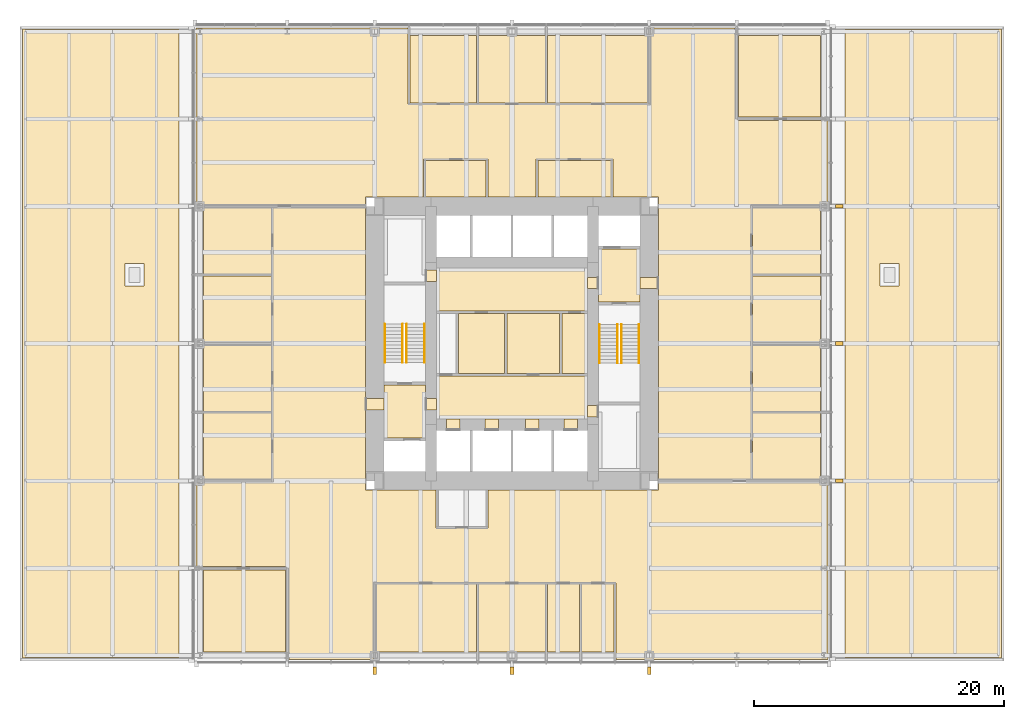
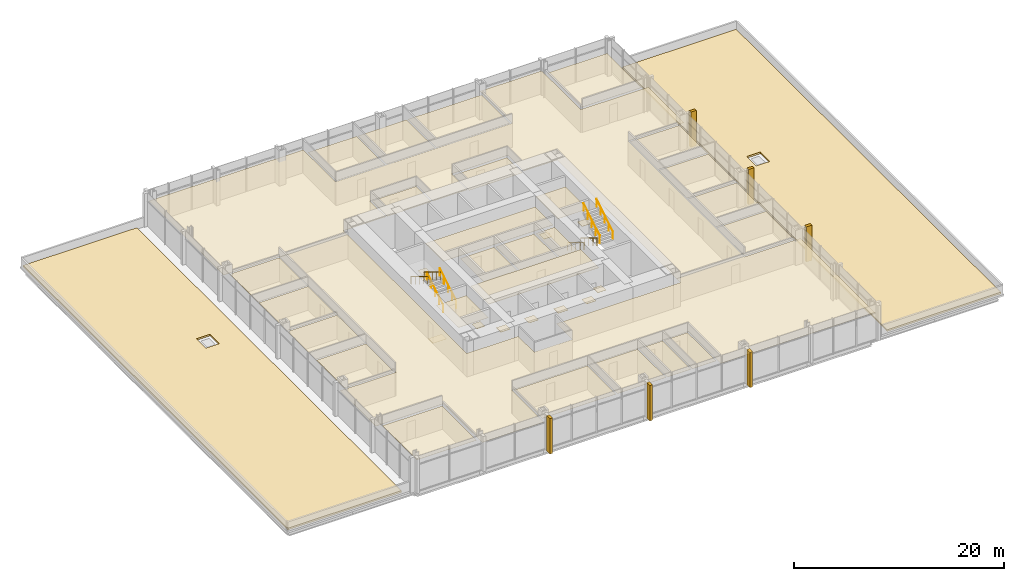
# One storey, part 15 of 15: 46 coverings, 8 railings.
"""IFC4 building model written with IfcOpenShell, lengths in metres."""

from ifc_helpers import new_model, si_unit, direction, frame, origin, origin_2d, place, context, subcontext, project, spatial, polyline, rectangle, circle, outline, extrude, material, layer, layer_set, type_object, element, save


model = new_model("IFC4")

# Units and contexts
model_context = context("Model", 3, precision=1e-05, world=origin(), true_north=direction((0.0, 1.0)))
body_context = subcontext(model_context, "Body", "Model", "MODEL_VIEW")
ifc_project = project(units=[si_unit("LENGTHUNIT", "METRE"), si_unit("AREAUNIT", "SQUARE_METRE"), si_unit("VOLUMEUNIT", "CUBIC_METRE"), si_unit("PLANEANGLEUNIT", "RADIAN"), si_unit("MASSUNIT", "GRAM", prefix="KILO")], contexts=[model_context])

# Site, building, storey
site_placement = place(None, origin())
site = spatial("IfcSite", under=ifc_project, at=site_placement, CompositionType="ELEMENT")
building_placement = place(site_placement, origin())
building = spatial("IfcBuilding", under=site, at=building_placement, Name="Trevanion Tower", CompositionType="ELEMENT")
storey_placement = place(building_placement, frame((0.0, 0.0, 16.0)))
storey = spatial("IfcBuildingStorey", under=building, at=storey_placement, Name="L03", CompositionType="ELEMENT", Elevation=16.0)

# Coverings
ifc_material_1 = material(Name="Fibrous plaster coffers on suspended steel grid", Category="steel")
ifc_layer_1 = layer(ifc_material_1, 0.050048828125)
ifc_layer_set_1 = layer_set([ifc_layer_1], Name="CL1 coffered fibrous plaster ceiling 50")
covering_type_1 = type_object("IfcCoveringType", Name="CL1 coffered fibrous plaster ceiling 50", PredefinedType="CEILING", material=ifc_layer_set_1)
covering_1_placement = place(storey_placement, frame((0.0, 0.0, 3.0)))
element("IfcCovering", 1, at=covering_1_placement, inside=storey, type_object=covering_type_1, Name="CL1 L03-LBS", PredefinedType="CEILING", context=body_context, shape_type="SweptSolid", body=[
    extrude(outline(polyline([(6.050048828125, -6.050048828125), (6.050048828125, -2.60009765625), (-6.050048828125, -2.60009765625), (-6.050048828125, -6.050048828125), (6.050048828125, -6.050048828125)])), origin(), (0.0, 0.0, 1.0), 0.050048828125),
])
ifc_material_2 = material(Name="Mineral fibre acoustic tiles in exposed grid", Category="mineral fibre")
ifc_layer_2 = layer(ifc_material_2, 0.02001953125)
ifc_layer_set_2 = layer_set([ifc_layer_2], Name="CL2 acoustic tile ceiling 20")
covering_type_2 = type_object("IfcCoveringType", Name="CL2 acoustic tile ceiling 20", PredefinedType="CEILING", material=ifc_layer_set_2)
covering_2_placement = place(storey_placement, frame((0.0, 0.0, 2.75)))
element("IfcCovering", 2, at=covering_2_placement, inside=storey, type_object=covering_type_2, Name="CL2 L03-LBN", PredefinedType="CEILING", context=body_context, shape_type="SweptSolid", body=[
    extrude(outline(polyline([(6.050048828125, 2.60009765625), (6.050048828125, 6.050048828125), (-6.050048828125, 6.050048828125), (-6.050048828125, 2.60009765625), (6.050048828125, 2.60009765625)])), origin(), (0.0, 0.0, 1.0), 0.02001953125),
])
covering_3_placement = place(storey_placement, frame((0.0, 0.0, 2.75)))
element("IfcCovering", 3, at=covering_3_placement, inside=storey, type_object=covering_type_2, Name="CL2 L03-MR", PredefinedType="CEILING", context=body_context, shape_type="SweptSolid", body=[
    extrude(outline(polyline([(18.14990234375, 18.14990234375), (18.14990234375, 24.699951171875), (24.699951171875, 24.699951171875), (24.699951171875, 18.14990234375), (18.14990234375, 18.14990234375)])), origin(), (0.0, 0.0, 1.0), 0.02001953125),
])
covering_4_placement = place(storey_placement, frame((0.0, 0.0, 2.75)))
element("IfcCovering", 4, at=covering_4_placement, inside=storey, type_object=covering_type_2, Name="CL2 L03-MR2", PredefinedType="CEILING", context=body_context, shape_type="SweptSolid", body=[
    extrude(outline(polyline([(-18.14990234375, -18.14990234375), (-18.14990234375, -24.699951171875), (-24.699951171875, -24.699951171875), (-24.699951171875, -18.14990234375), (-18.14990234375, -18.14990234375)])), origin(), (0.0, 0.0, 1.0), 0.02001953125),
])
covering_5_placement = place(storey_placement, frame((0.0, 0.0, 2.75)))
element("IfcCovering", 5, at=covering_5_placement, inside=storey, type_object=covering_type_2, Name="CL2 L03-MR3", PredefinedType="CEILING", context=body_context, shape_type="SweptSolid", body=[
    extrude(outline(polyline([(19.27490234375, -10.925048828125), (19.27490234375, -5.574951171875), (24.699951171875, -5.574951171875), (24.699951171875, -10.925048828125), (19.27490234375, -10.925048828125)])), origin(), (0.0, 0.0, 1.0), 0.02001953125),
])
covering_6_placement = place(storey_placement, frame((0.0, 0.0, 2.75)))
element("IfcCovering", 6, at=covering_6_placement, inside=storey, type_object=covering_type_2, Name="CL2 L03-MR4", PredefinedType="CEILING", context=body_context, shape_type="SweptSolid", body=[
    extrude(outline(polyline([(19.27490234375, -5.425048828125), (19.27490234375, -0.074951171875), (24.699951171875, -0.074951171875), (24.699951171875, -5.425048828125), (19.27490234375, -5.425048828125)])), origin(), (0.0, 0.0, 1.0), 0.02001953125),
])
covering_7_placement = place(storey_placement, frame((0.0, 0.0, 2.75)))
element("IfcCovering", 7, at=covering_7_placement, inside=storey, type_object=covering_type_2, Name="CL2 L03-TR", PredefinedType="CEILING", context=body_context, shape_type="SweptSolid", body=[
    extrude(outline(polyline([(19.27490234375, 0.074951171875), (19.27490234375, 5.425048828125), (24.699951171875, 5.425048828125), (24.699951171875, 0.074951171875), (19.27490234375, 0.074951171875)])), origin(), (0.0, 0.0, 1.0), 0.02001953125),
])
covering_8_placement = place(storey_placement, frame((0.0, 0.0, 2.75)))
element("IfcCovering", 8, at=covering_8_placement, inside=storey, type_object=covering_type_2, Name="CL2 L03-MR5", PredefinedType="CEILING", context=body_context, shape_type="SweptSolid", body=[
    extrude(outline(polyline([(19.27490234375, 5.574951171875), (19.27490234375, 10.925048828125), (24.699951171875, 10.925048828125), (24.699951171875, 5.574951171875), (19.27490234375, 5.574951171875)])), origin(), (0.0, 0.0, 1.0), 0.02001953125),
])
covering_9_placement = place(storey_placement, frame((0.0, 0.0, 2.75)))
element("IfcCovering", 9, at=covering_9_placement, inside=storey, type_object=covering_type_2, Name="CL2 L03-MR6", PredefinedType="CEILING", context=body_context, shape_type="SweptSolid", body=[
    extrude(outline(polyline([(-19.27490234375, 10.925048828125), (-19.27490234375, 5.574951171875), (-24.699951171875, 5.574951171875), (-24.699951171875, 10.925048828125), (-19.27490234375, 10.925048828125)])), origin(), (0.0, 0.0, 1.0), 0.02001953125),
])
covering_10_placement = place(storey_placement, frame((0.0, 0.0, 2.75)))
element("IfcCovering", 10, at=covering_10_placement, inside=storey, type_object=covering_type_2, Name="CL2 L03-MR7", PredefinedType="CEILING", context=body_context, shape_type="SweptSolid", body=[
    extrude(outline(polyline([(-19.27490234375, 5.425048828125), (-19.27490234375, 0.074951171875), (-24.699951171875, 0.074951171875), (-24.699951171875, 5.425048828125), (-19.27490234375, 5.425048828125)])), origin(), (0.0, 0.0, 1.0), 0.02001953125),
])
covering_11_placement = place(storey_placement, frame((0.0, 0.0, 2.75)))
element("IfcCovering", 11, at=covering_11_placement, inside=storey, type_object=covering_type_2, Name="CL2 L03-TR2", PredefinedType="CEILING", context=body_context, shape_type="SweptSolid", body=[
    extrude(outline(polyline([(-19.27490234375, -0.074951171875), (-19.27490234375, -5.425048828125), (-24.699951171875, -5.425048828125), (-24.699951171875, -0.074951171875), (-19.27490234375, -0.074951171875)])), origin(), (0.0, 0.0, 1.0), 0.02001953125),
])
covering_12_placement = place(storey_placement, frame((0.0, 0.0, 2.75)))
element("IfcCovering", 12, at=covering_12_placement, inside=storey, type_object=covering_type_2, Name="CL2 L03-MR8", PredefinedType="CEILING", context=body_context, shape_type="SweptSolid", body=[
    extrude(outline(polyline([(-19.27490234375, -5.574951171875), (-19.27490234375, -10.925048828125), (-24.699951171875, -10.925048828125), (-24.699951171875, -5.574951171875), (-19.27490234375, -5.574951171875)])), origin(), (0.0, 0.0, 1.0), 0.02001953125),
])
covering_13_placement = place(storey_placement, frame((0.0, 0.0, 2.75)))
element("IfcCovering", 13, at=covering_13_placement, inside=storey, type_object=covering_type_2, Name="CL2 L03-TR3", PredefinedType="CEILING", context=body_context, shape_type="SweptSolid", body=[
    extrude(outline(polyline([(10.925048828125, 19.27490234375), (2.824951171875, 19.27490234375), (2.824951171875, 24.699951171875), (10.925048828125, 24.699951171875), (10.925048828125, 19.27490234375)])), origin(), (0.0, 0.0, 1.0), 0.02001953125),
])
covering_14_placement = place(storey_placement, frame((0.0, 0.0, 2.75)))
element("IfcCovering", 14, at=covering_14_placement, inside=storey, type_object=covering_type_2, Name="CL2 L03-MR9", PredefinedType="CEILING", context=body_context, shape_type="SweptSolid", body=[
    extrude(outline(polyline([(2.675048828125, 19.27490234375), (-2.675048828125, 19.27490234375), (-2.675048828125, 24.699951171875), (2.675048828125, 24.699951171875), (2.675048828125, 19.27490234375)])), origin(), (0.0, 0.0, 1.0), 0.02001953125),
])
covering_15_placement = place(storey_placement, frame((0.0, 0.0, 2.75)))
element("IfcCovering", 15, at=covering_15_placement, inside=storey, type_object=covering_type_2, Name="CL2 L03-MR10", PredefinedType="CEILING", context=body_context, shape_type="SweptSolid", body=[
    extrude(outline(polyline([(-2.824951171875, 19.27490234375), (-8.175048828125, 19.27490234375), (-8.175048828125, 24.699951171875), (-2.824951171875, 24.699951171875), (-2.824951171875, 19.27490234375)])), origin(), (0.0, 0.0, 1.0), 0.02001953125),
])
covering_16_placement = place(storey_placement, frame((0.0, 0.0, 2.75)))
element("IfcCovering", 16, at=covering_16_placement, inside=storey, type_object=covering_type_2, Name="CL2 L03-TR4", PredefinedType="CEILING", context=body_context, shape_type="SweptSolid", body=[
    extrude(outline(polyline([(-10.925048828125, -19.27490234375), (-2.824951171875, -19.27490234375), (-2.824951171875, -24.699951171875), (-10.925048828125, -24.699951171875), (-10.925048828125, -19.27490234375)])), origin(), (0.0, 0.0, 1.0), 0.02001953125),
])
covering_17_placement = place(storey_placement, frame((0.0, 0.0, 2.75)))
element("IfcCovering", 17, at=covering_17_placement, inside=storey, type_object=covering_type_2, Name="CL2 L03-MR11", PredefinedType="CEILING", context=body_context, shape_type="SweptSolid", body=[
    extrude(outline(polyline([(-2.675048828125, -19.27490234375), (2.675048828125, -19.27490234375), (2.675048828125, -24.699951171875), (-2.675048828125, -24.699951171875), (-2.675048828125, -19.27490234375)])), origin(), (0.0, 0.0, 1.0), 0.02001953125),
])
covering_18_placement = place(storey_placement, frame((0.0, 0.0, 2.75)))
element("IfcCovering", 18, at=covering_18_placement, inside=storey, type_object=covering_type_2, Name="CL2 L03-FR", PredefinedType="CEILING", context=body_context, shape_type="SweptSolid", body=[
    extrude(outline(polyline([(2.824951171875, -19.27490234375), (5.425048828125, -19.27490234375), (5.425048828125, -24.699951171875), (2.824951171875, -24.699951171875), (2.824951171875, -19.27490234375)])), origin(), (0.0, 0.0, 1.0), 0.02001953125),
])
covering_19_placement = place(storey_placement, frame((0.0, 0.0, 2.75)))
element("IfcCovering", 19, at=covering_19_placement, inside=storey, type_object=covering_type_2, Name="CL2 L03-FR2", PredefinedType="CEILING", context=body_context, shape_type="SweptSolid", body=[
    extrude(outline(polyline([(5.574951171875, -19.27490234375), (8.175048828125, -19.27490234375), (8.175048828125, -24.699951171875), (5.574951171875, -24.699951171875), (5.574951171875, -19.27490234375)])), origin(), (0.0, 0.0, 1.0), 0.02001953125),
])
covering_20_placement = place(storey_placement, frame((0.0, 0.0, 2.75)))
element("IfcCovering", 20, at=covering_20_placement, inside=storey, type_object=covering_type_2, Name="CL2 L03-PC", PredefinedType="CEILING", context=body_context, shape_type="SweptSolid", body=[
    extrude(outline(polyline([(-6.925048828125, 14.675048828125), (-2.074951171875, 14.675048828125), (-2.074951171875, 11.75), (-6.925048828125, 11.75), (-6.925048828125, 14.675048828125)])), origin(), (0.0, 0.0, 1.0), 0.02001953125),
])
covering_21_placement = place(storey_placement, frame((0.0, 0.0, 2.75)))
element("IfcCovering", 21, at=covering_21_placement, inside=storey, type_object=covering_type_2, Name="CL2 L03-OP", PredefinedType="CEILING", context=body_context, shape_type="SweptSolid", body=[
    extrude(outline(polyline([(11.75, 11.75), (8.094970703125, 11.75), (8.094970703125, 14.77001953125), (1.905029296875, 14.77001953125), (1.905029296875, 11.75), (-1.905029296875, 11.75), (-1.905029296875, 14.77001953125), (-7.094970703125, 14.77001953125), (-7.094970703125, 11.75), (-11.75, 11.75), (-11.75, 11.0), (-19.179931640625, 11.0), (-19.179931640625, 11.094970703125), (-25.300048828125, 11.094970703125), (-25.300048828125, 25.300048828125), (-8.344970703125, 25.300048828125), (-8.344970703125, 19.179931640625), (11.094970703125, 19.179931640625), (11.094970703125, 25.300048828125), (17.8798828125, 25.300048828125), (17.8798828125, 17.8798828125), (25.300048828125, 17.8798828125), (25.300048828125, 11.094970703125), (19.179931640625, 11.094970703125), (19.179931640625, -11.0), (11.75, -11.0), (11.75, 11.75)])), origin(), (0.0, 0.0, 1.0), 0.02001953125),
])
covering_22_placement = place(storey_placement, frame((0.0, 0.0, 2.75)))
element("IfcCovering", 22, at=covering_22_placement, inside=storey, type_object=covering_type_2, Name="CL2 L03-OP2", PredefinedType="CEILING", context=body_context, shape_type="SweptSolid", body=[
    extrude(outline(polyline([(11.75, -11.0), (19.179931640625, -11.0), (19.179931640625, -11.094970703125), (25.300048828125, -11.094970703125), (25.300048828125, -25.300048828125), (8.344970703125, -25.300048828125), (8.344970703125, -19.179931640625), (-11.094970703125, -19.179931640625), (-11.094970703125, -25.300048828125), (-17.8798828125, -25.300048828125), (-17.8798828125, -17.8798828125), (-25.300048828125, -17.8798828125), (-25.300048828125, -11.094970703125), (-19.179931640625, -11.094970703125), (-19.179931640625, 11.0), (-11.75, 11.0), (-11.75, -11.75), (-6.094970703125, -11.75), (-6.094970703125, -14.77001953125), (-1.905029296875, -14.77001953125), (-1.905029296875, -11.75), (11.75, -11.75), (11.75, -11.0)])), origin(), (0.0, 0.0, 1.0), 0.02001953125),
])
ifc_material_3 = material(Name="Gypsum plasterboard on suspended metal furring", Category="gypsum")
ifc_layer_3 = layer(ifc_material_3, 0.012939453125)
ifc_layer_set_3 = layer_set([ifc_layer_3], Name="CL3 plasterboard ceiling 13")
covering_type_3 = type_object("IfcCoveringType", Name="CL3 plasterboard ceiling 13", PredefinedType="CEILING", material=ifc_layer_set_3)
covering_23_placement = place(storey_placement, frame((0.0, 0.0, 2.699951171875)))
element("IfcCovering", 23, at=covering_23_placement, inside=storey, type_object=covering_type_3, Name="CL3 L03-FV1", PredefinedType="CEILING", context=body_context, shape_type="SweptSolid", body=[
    extrude(outline(polyline([(10.25, 3.324951171875), (10.25, 7.574951171875), (6.949951171875, 7.574951171875), (6.949951171875, 3.324951171875), (10.25, 3.324951171875)])), origin(), (0.0, 0.0, 1.0), 0.012939453125),
])
covering_24_placement = place(storey_placement, frame((0.0, 0.0, 2.699951171875)))
element("IfcCovering", 24, at=covering_24_placement, inside=storey, type_object=covering_type_3, Name="CL3 L03-FV2", PredefinedType="CEILING", context=body_context, shape_type="SweptSolid", body=[
    extrude(outline(polyline([(-10.25, -3.324951171875), (-10.25, -7.574951171875), (-6.949951171875, -7.574951171875), (-6.949951171875, -3.324951171875), (-10.25, -3.324951171875)])), origin(), (0.0, 0.0, 1.0), 0.012939453125),
])
ifc_material_4 = material(Name="Moisture-resistant gypsum board on suspended metal furring", Category="gypsum")
ifc_layer_4 = layer(ifc_material_4, 0.01611328125)
ifc_layer_set_4 = layer_set([ifc_layer_4], Name="CL4 moisture-resistant board ceiling 16")
covering_type_4 = type_object("IfcCoveringType", Name="CL4 moisture-resistant board ceiling 16", PredefinedType="CEILING", material=ifc_layer_set_4)
covering_25_placement = place(storey_placement, frame((0.0, 0.0, 2.60009765625)))
element("IfcCovering", 25, at=covering_25_placement, inside=storey, type_object=covering_type_4, Name="CL4 L03-WCM", PredefinedType="CEILING", context=body_context, shape_type="SweptSolid", body=[
    extrude(outline(polyline([(-0.60009765625, -2.39990234375), (-0.60009765625, 2.39990234375), (-4.300048828125, 2.39990234375), (-4.300048828125, -2.39990234375), (-0.60009765625, -2.39990234375)])), origin(), (0.0, 0.0, 1.0), 0.015869140625),
])
covering_26_placement = place(storey_placement, frame((0.0, 0.0, 2.60009765625)))
element("IfcCovering", 26, at=covering_26_placement, inside=storey, type_object=covering_type_4, Name="CL4 L03-WCF", PredefinedType="CEILING", context=body_context, shape_type="SweptSolid", body=[
    extrude(outline(polyline([(3.800048828125, -2.39990234375), (3.800048828125, 2.39990234375), (-0.39990234375, 2.39990234375), (-0.39990234375, -2.39990234375), (3.800048828125, -2.39990234375)])), origin(), (0.0, 0.0, 1.0), 0.015869140625),
])
covering_27_placement = place(storey_placement, frame((0.0, 0.0, 2.60009765625)))
element("IfcCovering", 27, at=covering_27_placement, inside=storey, type_object=covering_type_4, Name="CL4 L03-WCA", PredefinedType="CEILING", context=body_context, shape_type="SweptSolid", body=[
    extrude(outline(polyline([(6.050048828125, -2.39990234375), (6.050048828125, 2.39990234375), (4.0, 2.39990234375), (4.0, -2.39990234375), (6.050048828125, -2.39990234375)])), origin(), (0.0, 0.0, 1.0), 0.015869140625),
])
covering_28_placement = place(storey_placement, frame((0.0, 0.0, 2.60009765625)))
element("IfcCovering", 28, at=covering_28_placement, inside=storey, type_object=covering_type_4, Name="CL4 L03-PA", PredefinedType="CEILING", context=body_context, shape_type="SweptSolid", body=[
    extrude(outline(polyline([(2.074951171875, 14.675048828125), (7.925048828125, 14.675048828125), (7.925048828125, 11.75), (2.074951171875, 11.75), (2.074951171875, 14.675048828125)])), origin(), (0.0, 0.0, 1.0), 0.015869140625),
])
ifc_material_5 = material(Name="Cast bronze fin on aluminium carrier", Category="aluminium")
covering_type_5 = type_object("IfcCoveringType", Name="F1 bronze fin", PredefinedType="CLADDING", material=ifc_material_5)
for number, where, z_axis, x_axis, name in (
    (29, (26.22509765625, -11.0, -0.18994140625), (0.0, 0.0, 1.0), (0.0, 1.0, 0.0), "F1 L03 east -11.0"),
    (30, (26.22509765625, 0.0, -0.18994140625), (0.0, 0.0, 1.0), (0.0, 1.0, 0.0), "F1 L03 east +0.0"),
    (31, (26.22509765625, 11.0, -0.18994140625), (0.0, 0.0, 1.0), (0.0, 1.0, 0.0), "F1 L03 east +11.0"),
    (32, (-11.0, -26.22509765625, -0.18994140625), (0.0, 0.0, 1.0), (1.0, 0.0, 0.0), "F1 L03 south -11.0"),
    (33, (0.0, -26.22509765625, -0.18994140625), (0.0, 0.0, 1.0), (1.0, 0.0, 0.0), "F1 L03 south +0.0"),
    (34, (11.0, -26.22509765625, -0.18994140625), (0.0, 0.0, 1.0), (1.0, 0.0, 0.0), "F1 L03 south +11.0"),
):
    element("IfcCovering", number, at=place(storey_placement, frame(where, z_axis=z_axis, x_axis=x_axis)), inside=storey, type_object=covering_type_5, Name=name, PredefinedType="CLADDING", context=body_context, shape_type="SweptSolid", body=[
        extrude(rectangle(XDim=0.300048828125, YDim=0.60009765625, at=origin_2d()), origin(), (0.0, 0.0, 1.0), 4.10009765625),
    ])
ifc_material_6 = material(Name="Terrazzo, brass divider strips", Category="stone")
ifc_layer_5 = layer(ifc_material_6, 0.02001953125)
ifc_layer_set_5 = layer_set([ifc_layer_5], Name="FF1 terrazzo flooring")
covering_type_6 = type_object("IfcCoveringType", Name="FF1 terrazzo flooring", PredefinedType="FLOORING", material=ifc_layer_set_5)
covering_29_placement = place(storey_placement, origin())
element("IfcCovering", 35, at=covering_29_placement, inside=storey, type_object=covering_type_6, Name="FF1 threshold 03-001", PredefinedType="FLOORING", context=body_context, shape_type="SweptSolid", body=[
    extrude(outline(polyline([(11.75, 4.392578125), (11.75, 5.3076171875), (10.25, 5.3076171875), (10.25, 4.392578125), (11.75, 4.392578125)])), origin(), (0.0, 0.0, 1.0), 0.02001953125),
])
covering_30_placement = place(storey_placement, origin())
element("IfcCovering", 36, at=covering_30_placement, inside=storey, type_object=covering_type_6, Name="FF1 threshold 03-002", PredefinedType="FLOORING", context=body_context, shape_type="SweptSolid", body=[
    extrude(outline(polyline([(-11.75, -4.392578125), (-11.75, -5.3076171875), (-10.25, -5.3076171875), (-10.25, -4.392578125), (-11.75, -4.392578125)])), origin(), (0.0, 0.0, 1.0), 0.02001953125),
])
covering_31_placement = place(storey_placement, origin())
element("IfcCovering", 37, at=covering_31_placement, inside=storey, type_object=covering_type_6, Name="FF1 threshold 03-003", PredefinedType="FLOORING", context=body_context, shape_type="SweptSolid", body=[
    extrude(outline(polyline([(6.949951171875, 4.392578125), (6.949951171875, 5.3076171875), (6.050048828125, 5.3076171875), (6.050048828125, 4.392578125), (6.949951171875, 4.392578125)])), origin(), (0.0, 0.0, 1.0), 0.02001953125),
])
covering_32_placement = place(storey_placement, origin())
element("IfcCovering", 38, at=covering_32_placement, inside=storey, type_object=covering_type_6, Name="FF1 threshold 03-004", PredefinedType="FLOORING", context=body_context, shape_type="SweptSolid", body=[
    extrude(outline(polyline([(-6.949951171875, -4.392578125), (-6.949951171875, -5.3076171875), (-6.050048828125, -5.3076171875), (-6.050048828125, -4.392578125), (-6.949951171875, -4.392578125)])), origin(), (0.0, 0.0, 1.0), 0.02001953125),
])
covering_33_placement = place(storey_placement, origin())
element("IfcCovering", 39, at=covering_33_placement, inside=storey, type_object=covering_type_6, Name="FF1 threshold 03-009", PredefinedType="FLOORING", context=body_context, shape_type="SweptSolid", body=[
    extrude(outline(polyline([(6.949951171875, -5.889892578125), (6.949951171875, -4.97509765625), (6.050048828125, -4.97509765625), (6.050048828125, -5.889892578125), (6.949951171875, -5.889892578125)])), origin(), (0.0, 0.0, 1.0), 0.02001953125),
])
covering_34_placement = place(storey_placement, origin())
element("IfcCovering", 40, at=covering_34_placement, inside=storey, type_object=covering_type_6, Name="FF1 threshold 03-010", PredefinedType="FLOORING", context=body_context, shape_type="SweptSolid", body=[
    extrude(outline(polyline([(-6.949951171875, 5.889892578125), (-6.949951171875, 4.97509765625), (-6.050048828125, 4.97509765625), (-6.050048828125, 5.889892578125), (-6.949951171875, 5.889892578125)])), origin(), (0.0, 0.0, 1.0), 0.02001953125),
])
covering_35_placement = place(storey_placement, origin())
element("IfcCovering", 41, at=covering_35_placement, inside=storey, type_object=covering_type_6, Name="FF1 threshold 03-011", PredefinedType="FLOORING", context=body_context, shape_type="SweptSolid", body=[
    extrude(outline(polyline([(-5.2333984375, -6.949951171875), (-4.16650390625, -6.949951171875), (-4.16650390625, -6.050048828125), (-5.2333984375, -6.050048828125), (-5.2333984375, -6.949951171875)])), origin(), (0.0, 0.0, 1.0), 0.02001953125),
])
covering_36_placement = place(storey_placement, origin())
element("IfcCovering", 42, at=covering_36_placement, inside=storey, type_object=covering_type_6, Name="FF1 threshold 03-012", PredefinedType="FLOORING", context=body_context, shape_type="SweptSolid", body=[
    extrude(outline(polyline([(-2.158447265625, -6.949951171875), (-1.091552734375, -6.949951171875), (-1.091552734375, -6.050048828125), (-2.158447265625, -6.050048828125), (-2.158447265625, -6.949951171875)])), origin(), (0.0, 0.0, 1.0), 0.02001953125),
])
covering_37_placement = place(storey_placement, origin())
element("IfcCovering", 43, at=covering_37_placement, inside=storey, type_object=covering_type_6, Name="FF1 threshold 03-013", PredefinedType="FLOORING", context=body_context, shape_type="SweptSolid", body=[
    extrude(outline(polyline([(1.091552734375, -6.949951171875), (2.158447265625, -6.949951171875), (2.158447265625, -6.050048828125), (1.091552734375, -6.050048828125), (1.091552734375, -6.949951171875)])), origin(), (0.0, 0.0, 1.0), 0.02001953125),
])
covering_38_placement = place(storey_placement, origin())
element("IfcCovering", 44, at=covering_38_placement, inside=storey, type_object=covering_type_6, Name="FF1 threshold 03-014", PredefinedType="FLOORING", context=body_context, shape_type="SweptSolid", body=[
    extrude(outline(polyline([(4.16650390625, -6.949951171875), (5.2333984375, -6.949951171875), (5.2333984375, -6.050048828125), (4.16650390625, -6.050048828125), (4.16650390625, -6.949951171875)])), origin(), (0.0, 0.0, 1.0), 0.02001953125),
])

# Railings
ifc_material_7 = material(Name="Stainless steel tube 40 mm", Category="steel")
railing_type = type_object("IfcRailingType", Name="HR1 handrail", PredefinedType="HANDRAIL", material=ifc_material_7)
for number, where, name in (
    (45, (7.010009765625, 1.52490234375, 0.1708984375), "HR1 ST1 L03 flight 1"),
    (46, (8.43994140625, 1.52490234375, 0.1708984375), "HR1 ST1 L03 flight 1"),
):
    element("IfcRailing", number, at=place(storey_placement, frame(where)), inside=storey, type_object=railing_type, Name=name, PredefinedType="HANDRAIL", context=body_context, shape_type="SweptSolid", body=[
        extrude(circle(Radius=0.02001953125, at=origin_2d()), frame((0.0, 0.0, 0.8798828125), z_axis=(0.0, -0.853647949592, 0.520850437417), x_axis=(1.0, 0.0, 0.0)), (0.0, 0.0, 1.0), 3.60791015625),
        extrude(circle(Radius=0.01513671875, at=origin_2d()), origin(), (0.0, 0.0, 1.0), 0.85986328125),
        extrude(circle(Radius=0.01513671875, at=origin_2d()), frame((0.0, -0.77001953125, 0.4697265625)), (0.0, 0.0, 1.0), 0.85986328125),
        extrude(circle(Radius=0.01513671875, at=origin_2d()), frame((0.0, -1.5400390625, 0.939453125)), (0.0, 0.0, 1.0), 0.85986328125),
        extrude(circle(Radius=0.01513671875, at=origin_2d()), frame((0.0, -2.309814453125, 1.409423828125)), (0.0, 0.0, 1.0), 0.85986328125),
        extrude(circle(Radius=0.01513671875, at=origin_2d()), frame((0.0, -3.079833984375, 1.879150390625)), (0.0, 0.0, 1.0), 0.85986328125),
    ])
for number, where, name in (
    (47, (8.760009765625, -1.554931640625, 2.220703125), "HR1 ST1 L03 flight 2"),
    (48, (10.18994140625, -1.554931640625, 2.220703125), "HR1 ST1 L03 flight 2"),
):
    element("IfcRailing", number, at=place(storey_placement, frame(where)), inside=storey, type_object=railing_type, Name=name, PredefinedType="HANDRAIL", context=body_context, shape_type="SweptSolid", body=[
        extrude(circle(Radius=0.02001953125, at=origin_2d()), frame((0.0, 0.0, 0.8798828125), z_axis=(0.0, 0.853617861917, 0.520899746416), x_axis=(-1.0, 0.0, 0.0)), (0.0, 0.0, 1.0), 3.60791015625),
        extrude(circle(Radius=0.01513671875, at=origin_2d()), origin(), (0.0, 0.0, 1.0), 0.85986328125),
        extrude(circle(Radius=0.01513671875, at=origin_2d()), frame((0.0, 0.77001953125, 0.4697265625)), (0.0, 0.0, 1.0), 0.85986328125),
        extrude(circle(Radius=0.01513671875, at=origin_2d()), frame((0.0, 1.5400390625, 0.939697265625)), (0.0, 0.0, 1.0), 0.85986328125),
        extrude(circle(Radius=0.01513671875, at=origin_2d()), frame((0.0, 2.309814453125, 1.40966796875)), (0.0, 0.0, 1.0), 0.85986328125),
        extrude(circle(Radius=0.01513671875, at=origin_2d()), frame((0.0, 3.079833984375, 1.87939453125)), (0.0, 0.0, 1.0), 0.85986328125),
    ])
for number, where, name in (
    (49, (-7.010009765625, -1.52490234375, 0.1708984375), "HR1 ST2 L03 flight 1"),
    (50, (-8.43994140625, -1.52490234375, 0.1708984375), "HR1 ST2 L03 flight 1"),
):
    element("IfcRailing", number, at=place(storey_placement, frame(where)), inside=storey, type_object=railing_type, Name=name, PredefinedType="HANDRAIL", context=body_context, shape_type="SweptSolid", body=[
        extrude(circle(Radius=0.02001953125, at=origin_2d()), frame((0.0, 0.0, 0.8798828125), z_axis=(0.0, 0.853647949592, 0.520850437417), x_axis=(-1.0, 0.0, 0.0)), (0.0, 0.0, 1.0), 3.60791015625),
        extrude(circle(Radius=0.01513671875, at=origin_2d()), origin(), (0.0, 0.0, 1.0), 0.85986328125),
        extrude(circle(Radius=0.01513671875, at=origin_2d()), frame((0.0, 0.77001953125, 0.4697265625)), (0.0, 0.0, 1.0), 0.85986328125),
        extrude(circle(Radius=0.01513671875, at=origin_2d()), frame((0.0, 1.5400390625, 0.939453125)), (0.0, 0.0, 1.0), 0.85986328125),
        extrude(circle(Radius=0.01513671875, at=origin_2d()), frame((0.0, 2.309814453125, 1.409423828125)), (0.0, 0.0, 1.0), 0.85986328125),
        extrude(circle(Radius=0.01513671875, at=origin_2d()), frame((0.0, 3.079833984375, 1.879150390625)), (0.0, 0.0, 1.0), 0.85986328125),
    ])
for number, where, name in (
    (51, (-8.760009765625, 1.554931640625, 2.220703125), "HR1 ST2 L03 flight 2"),
    (52, (-10.18994140625, 1.554931640625, 2.220703125), "HR1 ST2 L03 flight 2"),
):
    element("IfcRailing", number, at=place(storey_placement, frame(where)), inside=storey, type_object=railing_type, Name=name, PredefinedType="HANDRAIL", context=body_context, shape_type="SweptSolid", body=[
        extrude(circle(Radius=0.02001953125, at=origin_2d()), frame((0.0, 0.0, 0.8798828125), z_axis=(0.0, -0.853617861917, 0.520899746416), x_axis=(1.0, 0.0, 0.0)), (0.0, 0.0, 1.0), 3.60791015625),
        extrude(circle(Radius=0.01513671875, at=origin_2d()), origin(), (0.0, 0.0, 1.0), 0.85986328125),
        extrude(circle(Radius=0.01513671875, at=origin_2d()), frame((0.0, -0.77001953125, 0.4697265625)), (0.0, 0.0, 1.0), 0.85986328125),
        extrude(circle(Radius=0.01513671875, at=origin_2d()), frame((0.0, -1.5400390625, 0.939697265625)), (0.0, 0.0, 1.0), 0.85986328125),
        extrude(circle(Radius=0.01513671875, at=origin_2d()), frame((0.0, -2.309814453125, 1.40966796875)), (0.0, 0.0, 1.0), 0.85986328125),
        extrude(circle(Radius=0.01513671875, at=origin_2d()), frame((0.0, -3.079833984375, 1.87939453125)), (0.0, 0.0, 1.0), 0.85986328125),
    ])

# Coverings
ifc_material_8 = material(Name="Precast concrete pavers on pedestals over membrane and extruded polystyrene insulation", Category="concrete")
ifc_layer_6 = layer(ifc_material_8, 0.199951171875)
ifc_layer_set_6 = layer_set([ifc_layer_6], Name="RF2 paver-ballasted roofing 200")
covering_type_7 = type_object("IfcCoveringType", Name="RF2 paver-ballasted roofing 200", PredefinedType="ROOFING", material=ifc_layer_set_6)
covering_39_placement = place(storey_placement, origin())
element("IfcCovering", 53, at=covering_39_placement, inside=storey, type_object=covering_type_7, Name="RF2 podium roof east", PredefinedType="ROOFING", context=body_context, shape_type="SweptSolid", body=[
    extrude(outline(polyline([(26.699951171875, 25.199951171875), (39.199951171875, 25.199951171875), (39.199951171875, -25.199951171875), (26.699951171875, -25.199951171875), (26.699951171875, 25.199951171875)]), holes=[polyline([(31.0, 4.60009765625), (31.0, 6.39990234375), (29.5, 6.39990234375), (29.5, 4.60009765625), (31.0, 4.60009765625)])]), origin(), (0.0, 0.0, 1.0), 0.199951171875),
])
covering_40_placement = place(storey_placement, origin())
element("IfcCovering", 54, at=covering_40_placement, inside=storey, type_object=covering_type_7, Name="RF2 podium roof west", PredefinedType="ROOFING", context=body_context, shape_type="SweptSolid", body=[
    extrude(outline(polyline([(-39.199951171875, -25.199951171875), (-39.199951171875, 25.199951171875), (-26.699951171875, 25.199951171875), (-26.699951171875, -25.199951171875), (-39.199951171875, -25.199951171875)]), holes=[polyline([(-29.5, 4.60009765625), (-29.5, 6.39990234375), (-31.0, 6.39990234375), (-31.0, 4.60009765625), (-29.5, 4.60009765625)])]), origin(), (0.0, 0.0, 1.0), 0.199951171875),
])

save(model, "model.ifc")
